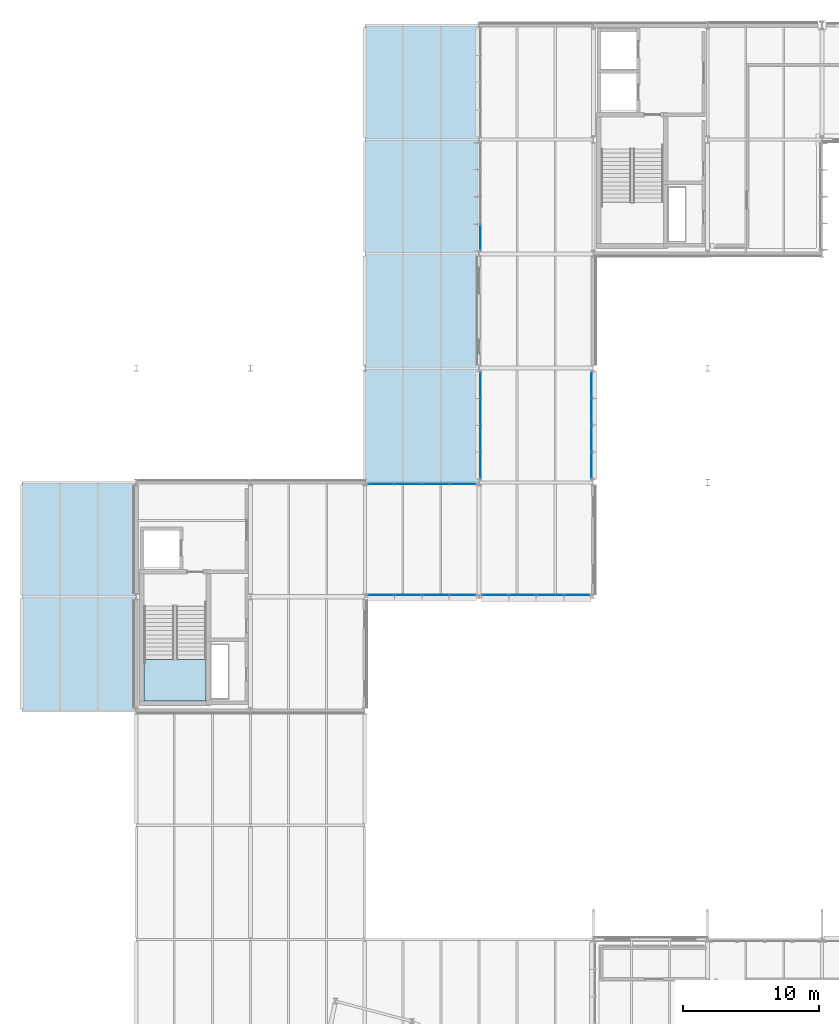
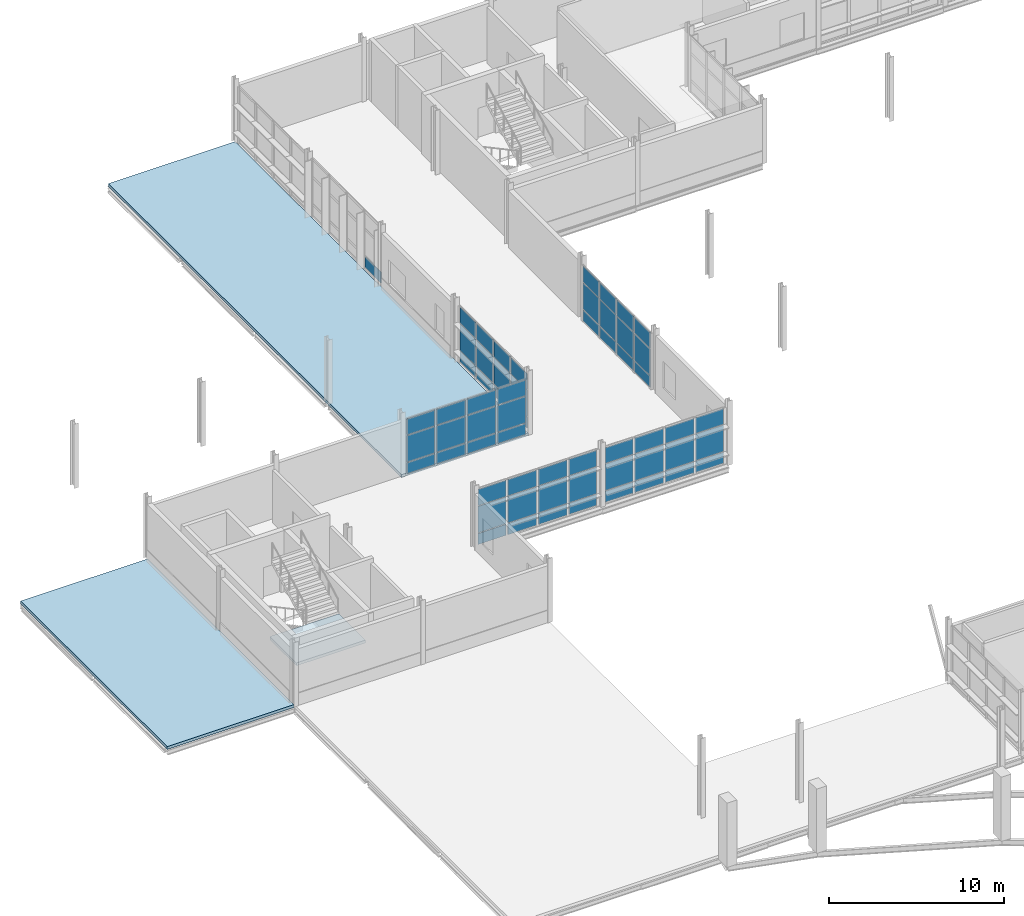
# One storey, part 84 of 129: 61 plates, 3 slabs, 7 elements without a shape of their own.
"""IFC4 building model written with IfcOpenShell, lengths in metres."""

from ifc_helpers import new_model, si_unit, direction, frame, origin, origin_2d, place, context, subcontext, project, spatial, polyline, rectangle, outline, extrude, material, layer, layer_set, type_object, element, aggregate, save


model = new_model("IFC4")

# Units and contexts
model_context = context("Model", 3, precision=1e-05, world=origin(), true_north=direction((0.0, 1.0)))
body_context = subcontext(model_context, "Body", "Model", "MODEL_VIEW")
ifc_project = project(units=[si_unit("LENGTHUNIT", "METRE"), si_unit("AREAUNIT", "SQUARE_METRE"), si_unit("VOLUMEUNIT", "CUBIC_METRE"), si_unit("PLANEANGLEUNIT", "RADIAN"), si_unit("MASSUNIT", "GRAM", prefix="KILO")], contexts=[model_context])

# Site, building, storey
site_placement = place(None, origin())
site = spatial("IfcSite", under=ifc_project, at=site_placement, CompositionType="ELEMENT")
building_placement = place(site_placement, origin())
building = spatial("IfcBuilding", under=site, at=building_placement, Name="Mersafa Astral City Hall", CompositionType="ELEMENT")
storey_placement = place(building_placement, frame((0.0, 0.0, 5.39990234375)))
storey = spatial("IfcBuildingStorey", under=building, at=storey_placement, Name="L01", CompositionType="ELEMENT", Elevation=5.39990234375)

# Curtain wall, plate
ifc_material_1 = material(Name="Anodised bronze aluminium framing", Category="aluminium")
curtain_wall_type_1 = type_object("IfcCurtainWallType", Name="ENV-CW-3", PredefinedType="USERDEFINED", material=ifc_material_1)
curtain_wall_1_placement = place(storey_placement, origin())
curtain_wall_1 = element("IfcCurtainWall", 1, at=curtain_wall_1_placement, inside=storey, type_object=curtain_wall_type_1, Name="L01 Unitised solar curtain wall 80", ObjectType="UNITISED CURTAIN WALL", PredefinedType="USERDEFINED")
ifc_material_2 = material(Name="Solar control low-e double glazing", Category="glass")
ifc_layer_1 = layer(ifc_material_2, 0.028076171875, Name="Solar control low-e double glazing")
ifc_layer_set_1 = layer_set([ifc_layer_1], Name="Solar control low-e double glazing — ENV-CW-PNL-GLZ-1")
plate_type_1 = type_object("IfcPlateType", Name="ENV-CW-PNL-GLZ-1", PredefinedType="CURTAIN_PANEL", material=ifc_layer_set_1)
plate_1_placement = place(storey_placement, frame((33.719970703125, 110.415283203125, 0.05810546875), z_axis=(0.0, 0.0, 1.0), x_axis=(0.0, -1.0, 0.0)))
plate_1 = element("IfcPlate", 2, at=plate_1_placement, type_object=plate_type_1, Name="CW-3 panel 4.1", PredefinedType="CURTAIN_PANEL", context=body_context, shape_type="SweptSolid", body=[
    extrude(rectangle(XDim=1.826416015625, YDim=0.028076171875, at=origin_2d()), origin(), (0.0, 0.0, 1.0), 0.761962890625),
])
aggregate(curtain_wall_1, [plate_1])

# Curtain wall, plates
curtain_wall_type_2 = type_object("IfcCurtainWallType", Name="ENV-CW-1", PredefinedType="USERDEFINED", material=ifc_material_1)
curtain_wall_2_placement = place(storey_placement, origin())
curtain_wall_2 = element("IfcCurtainWall", 3, at=curtain_wall_2_placement, inside=storey, type_object=curtain_wall_type_2, Name="L01 Unitised solar curtain wall 84", ObjectType="UNITISED CURTAIN WALL", PredefinedType="USERDEFINED")
plate_2_placement = place(storey_placement, frame((34.801513671875, 84.1201171875, 0.05810546875), z_axis=(0.0, 0.0, 1.0), x_axis=(1.0, 0.0, 0.0)))
plate_2 = element("IfcPlate", 4, at=plate_2_placement, type_object=plate_type_1, Name="CW-1 panel 1.1", PredefinedType="CURTAIN_PANEL", context=body_context, shape_type="SweptSolid", body=[
    extrude(rectangle(XDim=1.839111328125, YDim=0.028076171875, at=origin_2d()), origin(), (0.0, 0.0, 1.0), 0.761962890625),
])
plate_3_placement = place(storey_placement, frame((34.801513671875, 84.1201171875, 0.8798828125), z_axis=(0.0, 0.0, 1.0), x_axis=(1.0, 0.0, 0.0)))
plate_3 = element("IfcPlate", 5, at=plate_3_placement, type_object=plate_type_1, Name="CW-1 panel 1.2", PredefinedType="CURTAIN_PANEL", context=body_context, shape_type="SweptSolid", body=[
    extrude(rectangle(XDim=1.839111328125, YDim=0.028076171875, at=origin_2d()), origin(), (0.0, 0.0, 1.0), 1.840087890625),
])
plate_4_placement = place(storey_placement, frame((34.801513671875, 84.1201171875, 2.7802734375), z_axis=(0.0, 0.0, 1.0), x_axis=(1.0, 0.0, 0.0)))
plate_4 = element("IfcPlate", 6, at=plate_4_placement, type_object=plate_type_1, Name="CW-1 panel 1.3", PredefinedType="CURTAIN_PANEL", context=body_context, shape_type="SweptSolid", body=[
    extrude(rectangle(XDim=1.839111328125, YDim=0.028076171875, at=origin_2d()), origin(), (0.0, 0.0, 1.0), 1.096923828125),
])
plate_5_placement = place(storey_placement, frame((36.79052734375, 84.1201171875, 0.05810546875), z_axis=(0.0, 0.0, 1.0), x_axis=(1.0, 0.0, 0.0)))
plate_5 = element("IfcPlate", 7, at=plate_5_placement, type_object=plate_type_1, Name="CW-1 panel 2.1", PredefinedType="CURTAIN_PANEL", context=body_context, shape_type="SweptSolid", body=[
    extrude(rectangle(XDim=1.89892578125, YDim=0.028076171875, at=origin_2d()), origin(), (0.0, 0.0, 1.0), 0.761962890625),
])
plate_6_placement = place(storey_placement, frame((36.79052734375, 84.1201171875, 0.8798828125), z_axis=(0.0, 0.0, 1.0), x_axis=(1.0, 0.0, 0.0)))
plate_6 = element("IfcPlate", 8, at=plate_6_placement, type_object=plate_type_1, Name="CW-1 panel 2.2", PredefinedType="CURTAIN_PANEL", context=body_context, shape_type="SweptSolid", body=[
    extrude(rectangle(XDim=1.89892578125, YDim=0.028076171875, at=origin_2d()), origin(), (0.0, 0.0, 1.0), 1.840087890625),
])
plate_7_placement = place(storey_placement, frame((36.79052734375, 84.1201171875, 2.7802734375), z_axis=(0.0, 0.0, 1.0), x_axis=(1.0, 0.0, 0.0)))
plate_7 = element("IfcPlate", 9, at=plate_7_placement, type_object=plate_type_1, Name="CW-1 panel 2.3", PredefinedType="CURTAIN_PANEL", context=body_context, shape_type="SweptSolid", body=[
    extrude(rectangle(XDim=1.89892578125, YDim=0.028076171875, at=origin_2d()), origin(), (0.0, 0.0, 1.0), 1.096923828125),
])
plate_8_placement = place(storey_placement, frame((38.8095703125, 84.1201171875, 0.05810546875), z_axis=(0.0, 0.0, 1.0), x_axis=(1.0, 0.0, 0.0)))
plate_8 = element("IfcPlate", 10, at=plate_8_placement, type_object=plate_type_1, Name="CW-1 panel 3.1", PredefinedType="CURTAIN_PANEL", context=body_context, shape_type="SweptSolid", body=[
    extrude(rectangle(XDim=1.89892578125, YDim=0.028076171875, at=origin_2d()), origin(), (0.0, 0.0, 1.0), 0.761962890625),
])
plate_9_placement = place(storey_placement, frame((38.8095703125, 84.1201171875, 0.8798828125), z_axis=(0.0, 0.0, 1.0), x_axis=(1.0, 0.0, 0.0)))
plate_9 = element("IfcPlate", 11, at=plate_9_placement, type_object=plate_type_1, Name="CW-1 panel 3.2", PredefinedType="CURTAIN_PANEL", context=body_context, shape_type="SweptSolid", body=[
    extrude(rectangle(XDim=1.89892578125, YDim=0.028076171875, at=origin_2d()), origin(), (0.0, 0.0, 1.0), 1.840087890625),
])
plate_10_placement = place(storey_placement, frame((38.8095703125, 84.1201171875, 2.7802734375), z_axis=(0.0, 0.0, 1.0), x_axis=(1.0, 0.0, 0.0)))
plate_10 = element("IfcPlate", 12, at=plate_10_placement, type_object=plate_type_1, Name="CW-1 panel 3.3", PredefinedType="CURTAIN_PANEL", context=body_context, shape_type="SweptSolid", body=[
    extrude(rectangle(XDim=1.89892578125, YDim=0.028076171875, at=origin_2d()), origin(), (0.0, 0.0, 1.0), 1.096923828125),
])
plate_11_placement = place(storey_placement, frame((40.798583984375, 84.1201171875, 0.05810546875), z_axis=(0.0, 0.0, 1.0), x_axis=(1.0, 0.0, 0.0)))
plate_11 = element("IfcPlate", 13, at=plate_11_placement, type_object=plate_type_1, Name="CW-1 panel 4.1", PredefinedType="CURTAIN_PANEL", context=body_context, shape_type="SweptSolid", body=[
    extrude(rectangle(XDim=1.839111328125, YDim=0.028076171875, at=origin_2d()), origin(), (0.0, 0.0, 1.0), 0.761962890625),
])
plate_12_placement = place(storey_placement, frame((40.798583984375, 84.1201171875, 0.8798828125), z_axis=(0.0, 0.0, 1.0), x_axis=(1.0, 0.0, 0.0)))
plate_12 = element("IfcPlate", 14, at=plate_12_placement, type_object=plate_type_1, Name="CW-1 panel 4.2", PredefinedType="CURTAIN_PANEL", context=body_context, shape_type="SweptSolid", body=[
    extrude(rectangle(XDim=1.839111328125, YDim=0.028076171875, at=origin_2d()), origin(), (0.0, 0.0, 1.0), 1.840087890625),
])
plate_13_placement = place(storey_placement, frame((40.798583984375, 84.1201171875, 2.7802734375), z_axis=(0.0, 0.0, 1.0), x_axis=(1.0, 0.0, 0.0)))
plate_13 = element("IfcPlate", 15, at=plate_13_placement, type_object=plate_type_1, Name="CW-1 panel 4.3", PredefinedType="CURTAIN_PANEL", context=body_context, shape_type="SweptSolid", body=[
    extrude(rectangle(XDim=1.839111328125, YDim=0.028076171875, at=origin_2d()), origin(), (0.0, 0.0, 1.0), 1.096923828125),
])
aggregate(curtain_wall_2, [plate_2, plate_3, plate_4, plate_5, plate_6, plate_7, plate_8, plate_9, plate_10, plate_11, plate_12, plate_13])

curtain_wall_type_3 = type_object("IfcCurtainWallType", Name="ENV-CW-4", PredefinedType="USERDEFINED", material=ifc_material_1)
curtain_wall_3_placement = place(storey_placement, origin())
curtain_wall_3 = element("IfcCurtainWall", 16, at=curtain_wall_3_placement, inside=storey, type_object=curtain_wall_type_3, Name="L01 Unitised solar curtain wall 81", ObjectType="UNITISED CURTAIN WALL", PredefinedType="USERDEFINED")
ifc_layer_2 = layer(ifc_material_2, 0.031982421875, Name="Solar control low-e double glazing")
ifc_layer_set_2 = layer_set([ifc_layer_2], Name="Solar control low-e double glazing — ENV-CW-PNL-GLZ-2")
plate_type_2 = type_object("IfcPlateType", Name="ENV-CW-PNL-GLZ-2", PredefinedType="CURTAIN_PANEL", material=ifc_layer_set_2)
plate_14_placement = place(storey_placement, frame((33.719970703125, 99.542236328125, 0.05810546875), z_axis=(0.0, 0.0, 1.0), x_axis=(0.0, -1.0, 0.0)))
plate_14 = element("IfcPlate", 17, at=plate_14_placement, type_object=plate_type_2, Name="CW-4 panel 1.1", PredefinedType="CURTAIN_PANEL", context=body_context, shape_type="SweptSolid", body=[
    extrude(rectangle(XDim=1.801513671875, YDim=0.031982421875, at=origin_2d()), origin(), (0.0, 0.0, 1.0), 0.761962890625),
])
plate_15_placement = place(storey_placement, frame((33.719970703125, 99.542236328125, 0.8798828125), z_axis=(0.0, 0.0, 1.0), x_axis=(0.0, -1.0, 0.0)))
plate_15 = element("IfcPlate", 18, at=plate_15_placement, type_object=plate_type_2, Name="CW-4 panel 1.2", PredefinedType="CURTAIN_PANEL", context=body_context, shape_type="SweptSolid", body=[
    extrude(rectangle(XDim=1.801513671875, YDim=0.031982421875, at=origin_2d()), origin(), (0.0, 0.0, 1.0), 1.840087890625),
])
plate_16_placement = place(storey_placement, frame((33.719970703125, 99.542236328125, 2.780029296875), z_axis=(0.0, 0.0, 1.0), x_axis=(0.0, -1.0, 0.0)))
plate_16 = element("IfcPlate", 19, at=plate_16_placement, type_object=plate_type_2, Name="CW-4 panel 1.3", PredefinedType="CURTAIN_PANEL", context=body_context, shape_type="SweptSolid", body=[
    extrude(rectangle(XDim=1.801513671875, YDim=0.031982421875, at=origin_2d()), origin(), (0.0, 0.0, 1.0), 1.10693359375),
])
plate_17_placement = place(storey_placement, frame((33.719970703125, 97.5908203125, 0.05810546875), z_axis=(0.0, 0.0, 1.0), x_axis=(0.0, -1.0, 0.0)))
plate_17 = element("IfcPlate", 20, at=plate_17_placement, type_object=plate_type_2, Name="CW-4 panel 2.1", PredefinedType="CURTAIN_PANEL", context=body_context, shape_type="SweptSolid", body=[
    extrude(rectangle(XDim=1.861572265625, YDim=0.031982421875, at=origin_2d()), origin(), (0.0, 0.0, 1.0), 0.761962890625),
])
plate_18_placement = place(storey_placement, frame((33.719970703125, 97.5908203125, 0.8798828125), z_axis=(0.0, 0.0, 1.0), x_axis=(0.0, -1.0, 0.0)))
plate_18 = element("IfcPlate", 21, at=plate_18_placement, type_object=plate_type_2, Name="CW-4 panel 2.2", PredefinedType="CURTAIN_PANEL", context=body_context, shape_type="SweptSolid", body=[
    extrude(rectangle(XDim=1.861572265625, YDim=0.031982421875, at=origin_2d()), origin(), (0.0, 0.0, 1.0), 1.840087890625),
])
plate_19_placement = place(storey_placement, frame((33.719970703125, 97.5908203125, 2.780029296875), z_axis=(0.0, 0.0, 1.0), x_axis=(0.0, -1.0, 0.0)))
plate_19 = element("IfcPlate", 22, at=plate_19_placement, type_object=plate_type_2, Name="CW-4 panel 2.3", PredefinedType="CURTAIN_PANEL", context=body_context, shape_type="SweptSolid", body=[
    extrude(rectangle(XDim=1.861572265625, YDim=0.031982421875, at=origin_2d()), origin(), (0.0, 0.0, 1.0), 1.10693359375),
])
plate_20_placement = place(storey_placement, frame((33.719970703125, 95.609130859375, 0.05810546875), z_axis=(0.0, 0.0, 1.0), x_axis=(0.0, -1.0, 0.0)))
plate_20 = element("IfcPlate", 23, at=plate_20_placement, type_object=plate_type_2, Name="CW-4 panel 3.1", PredefinedType="CURTAIN_PANEL", context=body_context, shape_type="SweptSolid", body=[
    extrude(rectangle(XDim=1.861572265625, YDim=0.031982421875, at=origin_2d()), origin(), (0.0, 0.0, 1.0), 0.761962890625),
])
plate_21_placement = place(storey_placement, frame((33.719970703125, 95.609130859375, 0.8798828125), z_axis=(0.0, 0.0, 1.0), x_axis=(0.0, -1.0, 0.0)))
plate_21 = element("IfcPlate", 24, at=plate_21_placement, type_object=plate_type_2, Name="CW-4 panel 3.2", PredefinedType="CURTAIN_PANEL", context=body_context, shape_type="SweptSolid", body=[
    extrude(rectangle(XDim=1.861572265625, YDim=0.031982421875, at=origin_2d()), origin(), (0.0, 0.0, 1.0), 1.840087890625),
])
plate_22_placement = place(storey_placement, frame((33.719970703125, 95.609130859375, 2.780029296875), z_axis=(0.0, 0.0, 1.0), x_axis=(0.0, -1.0, 0.0)))
plate_22 = element("IfcPlate", 25, at=plate_22_placement, type_object=plate_type_2, Name="CW-4 panel 3.3", PredefinedType="CURTAIN_PANEL", context=body_context, shape_type="SweptSolid", body=[
    extrude(rectangle(XDim=1.861572265625, YDim=0.031982421875, at=origin_2d()), origin(), (0.0, 0.0, 1.0), 1.10693359375),
])
plate_23_placement = place(storey_placement, frame((33.719970703125, 93.65771484375, 0.05810546875), z_axis=(0.0, 0.0, 1.0), x_axis=(0.0, -1.0, 0.0)))
plate_23 = element("IfcPlate", 26, at=plate_23_placement, type_object=plate_type_2, Name="CW-4 panel 4.1", PredefinedType="CURTAIN_PANEL", context=body_context, shape_type="SweptSolid", body=[
    extrude(rectangle(XDim=1.801513671875, YDim=0.031982421875, at=origin_2d()), origin(), (0.0, 0.0, 1.0), 0.761962890625),
])
plate_24_placement = place(storey_placement, frame((33.719970703125, 93.65771484375, 0.8798828125), z_axis=(0.0, 0.0, 1.0), x_axis=(0.0, -1.0, 0.0)))
plate_24 = element("IfcPlate", 27, at=plate_24_placement, type_object=plate_type_2, Name="CW-4 panel 4.2", PredefinedType="CURTAIN_PANEL", context=body_context, shape_type="SweptSolid", body=[
    extrude(rectangle(XDim=1.801513671875, YDim=0.031982421875, at=origin_2d()), origin(), (0.0, 0.0, 1.0), 1.840087890625),
])
plate_25_placement = place(storey_placement, frame((33.719970703125, 93.65771484375, 2.780029296875), z_axis=(0.0, 0.0, 1.0), x_axis=(0.0, -1.0, 0.0)))
plate_25 = element("IfcPlate", 28, at=plate_25_placement, type_object=plate_type_2, Name="CW-4 panel 4.3", PredefinedType="CURTAIN_PANEL", context=body_context, shape_type="SweptSolid", body=[
    extrude(rectangle(XDim=1.801513671875, YDim=0.031982421875, at=origin_2d()), origin(), (0.0, 0.0, 1.0), 1.10693359375),
])
aggregate(curtain_wall_3, [plate_14, plate_15, plate_16, plate_17, plate_18, plate_19, plate_20, plate_21, plate_22, plate_23, plate_24, plate_25])

curtain_wall_type_4 = type_object("IfcCurtainWallType", Name="ENV-CW-2", PredefinedType="USERDEFINED", material=ifc_material_1)
curtain_wall_4_placement = place(storey_placement, origin())
curtain_wall_4 = element("IfcCurtainWall", 29, at=curtain_wall_4_placement, inside=storey, type_object=curtain_wall_type_4, Name="L01 Unitised solar curtain wall 85", ObjectType="UNITISED CURTAIN WALL", PredefinedType="USERDEFINED")
plate_26_placement = place(storey_placement, frame((41.8798828125, 93.65771484375, 0.05810546875), z_axis=(0.0, 0.0, 1.0), x_axis=(0.0, 1.0, 0.0)))
plate_26 = element("IfcPlate", 30, at=plate_26_placement, type_object=plate_type_2, Name="CW-2 panel 1.1", PredefinedType="CURTAIN_PANEL", context=body_context, shape_type="SweptSolid", body=[
    extrude(rectangle(XDim=1.801513671875, YDim=0.031982421875, at=origin_2d()), origin(), (0.0, 0.0, 1.0), 0.761962890625),
])
plate_27_placement = place(storey_placement, frame((41.8798828125, 93.65771484375, 0.8798828125), z_axis=(0.0, 0.0, 1.0), x_axis=(0.0, 1.0, 0.0)))
plate_27 = element("IfcPlate", 31, at=plate_27_placement, type_object=plate_type_2, Name="CW-2 panel 1.2", PredefinedType="CURTAIN_PANEL", context=body_context, shape_type="SweptSolid", body=[
    extrude(rectangle(XDim=1.801513671875, YDim=0.031982421875, at=origin_2d()), origin(), (0.0, 0.0, 1.0), 1.840087890625),
])
plate_28_placement = place(storey_placement, frame((41.8798828125, 93.65771484375, 2.7802734375), z_axis=(0.0, 0.0, 1.0), x_axis=(0.0, 1.0, 0.0)))
plate_28 = element("IfcPlate", 32, at=plate_28_placement, type_object=plate_type_2, Name="CW-2 panel 1.3", PredefinedType="CURTAIN_PANEL", context=body_context, shape_type="SweptSolid", body=[
    extrude(rectangle(XDim=1.801513671875, YDim=0.031982421875, at=origin_2d()), origin(), (0.0, 0.0, 1.0), 1.096923828125),
])
plate_29_placement = place(storey_placement, frame((41.8798828125, 95.609130859375, 0.05810546875), z_axis=(0.0, 0.0, 1.0), x_axis=(0.0, 1.0, 0.0)))
plate_29 = element("IfcPlate", 33, at=plate_29_placement, type_object=plate_type_2, Name="CW-2 panel 2.1", PredefinedType="CURTAIN_PANEL", context=body_context, shape_type="SweptSolid", body=[
    extrude(rectangle(XDim=1.861572265625, YDim=0.031982421875, at=origin_2d()), origin(), (0.0, 0.0, 1.0), 0.761962890625),
])
plate_30_placement = place(storey_placement, frame((41.8798828125, 95.609130859375, 0.8798828125), z_axis=(0.0, 0.0, 1.0), x_axis=(0.0, 1.0, 0.0)))
plate_30 = element("IfcPlate", 34, at=plate_30_placement, type_object=plate_type_2, Name="CW-2 panel 2.2", PredefinedType="CURTAIN_PANEL", context=body_context, shape_type="SweptSolid", body=[
    extrude(rectangle(XDim=1.861572265625, YDim=0.031982421875, at=origin_2d()), origin(), (0.0, 0.0, 1.0), 1.840087890625),
])
plate_31_placement = place(storey_placement, frame((41.8798828125, 95.609130859375, 2.7802734375), z_axis=(0.0, 0.0, 1.0), x_axis=(0.0, 1.0, 0.0)))
plate_31 = element("IfcPlate", 35, at=plate_31_placement, type_object=plate_type_2, Name="CW-2 panel 2.3", PredefinedType="CURTAIN_PANEL", context=body_context, shape_type="SweptSolid", body=[
    extrude(rectangle(XDim=1.861572265625, YDim=0.031982421875, at=origin_2d()), origin(), (0.0, 0.0, 1.0), 1.096923828125),
])
plate_32_placement = place(storey_placement, frame((41.8798828125, 97.5908203125, 0.05810546875), z_axis=(0.0, 0.0, 1.0), x_axis=(0.0, 1.0, 0.0)))
plate_32 = element("IfcPlate", 36, at=plate_32_placement, type_object=plate_type_2, Name="CW-2 panel 3.1", PredefinedType="CURTAIN_PANEL", context=body_context, shape_type="SweptSolid", body=[
    extrude(rectangle(XDim=1.861572265625, YDim=0.031982421875, at=origin_2d()), origin(), (0.0, 0.0, 1.0), 0.761962890625),
])
plate_33_placement = place(storey_placement, frame((41.8798828125, 97.5908203125, 0.8798828125), z_axis=(0.0, 0.0, 1.0), x_axis=(0.0, 1.0, 0.0)))
plate_33 = element("IfcPlate", 37, at=plate_33_placement, type_object=plate_type_2, Name="CW-2 panel 3.2", PredefinedType="CURTAIN_PANEL", context=body_context, shape_type="SweptSolid", body=[
    extrude(rectangle(XDim=1.861572265625, YDim=0.031982421875, at=origin_2d()), origin(), (0.0, 0.0, 1.0), 1.840087890625),
])
plate_34_placement = place(storey_placement, frame((41.8798828125, 97.5908203125, 2.7802734375), z_axis=(0.0, 0.0, 1.0), x_axis=(0.0, 1.0, 0.0)))
plate_34 = element("IfcPlate", 38, at=plate_34_placement, type_object=plate_type_2, Name="CW-2 panel 3.3", PredefinedType="CURTAIN_PANEL", context=body_context, shape_type="SweptSolid", body=[
    extrude(rectangle(XDim=1.861572265625, YDim=0.031982421875, at=origin_2d()), origin(), (0.0, 0.0, 1.0), 1.096923828125),
])
plate_35_placement = place(storey_placement, frame((41.8798828125, 99.542236328125, 0.05810546875), z_axis=(0.0, 0.0, 1.0), x_axis=(0.0, 1.0, 0.0)))
plate_35 = element("IfcPlate", 39, at=plate_35_placement, type_object=plate_type_2, Name="CW-2 panel 4.1", PredefinedType="CURTAIN_PANEL", context=body_context, shape_type="SweptSolid", body=[
    extrude(rectangle(XDim=1.801513671875, YDim=0.031982421875, at=origin_2d()), origin(), (0.0, 0.0, 1.0), 0.761962890625),
])
plate_36_placement = place(storey_placement, frame((41.8798828125, 99.542236328125, 0.8798828125), z_axis=(0.0, 0.0, 1.0), x_axis=(0.0, 1.0, 0.0)))
plate_36 = element("IfcPlate", 40, at=plate_36_placement, type_object=plate_type_2, Name="CW-2 panel 4.2", PredefinedType="CURTAIN_PANEL", context=body_context, shape_type="SweptSolid", body=[
    extrude(rectangle(XDim=1.801513671875, YDim=0.031982421875, at=origin_2d()), origin(), (0.0, 0.0, 1.0), 1.840087890625),
])
plate_37_placement = place(storey_placement, frame((41.8798828125, 99.542236328125, 2.7802734375), z_axis=(0.0, 0.0, 1.0), x_axis=(0.0, 1.0, 0.0)))
plate_37 = element("IfcPlate", 41, at=plate_37_placement, type_object=plate_type_2, Name="CW-2 panel 4.3", PredefinedType="CURTAIN_PANEL", context=body_context, shape_type="SweptSolid", body=[
    extrude(rectangle(XDim=1.801513671875, YDim=0.031982421875, at=origin_2d()), origin(), (0.0, 0.0, 1.0), 1.096923828125),
])
aggregate(curtain_wall_4, [plate_26, plate_27, plate_28, plate_29, plate_30, plate_31, plate_32, plate_33, plate_34, plate_35, plate_36, plate_37])

curtain_wall_type_5 = type_object("IfcCurtainWallType", Name="ENV-CW-5", PredefinedType="USERDEFINED", material=ifc_material_1)
curtain_wall_5_placement = place(storey_placement, origin())
curtain_wall_5 = element("IfcCurtainWall", 42, at=curtain_wall_5_placement, inside=storey, type_object=curtain_wall_type_5, Name="L01 Unitised solar curtain wall 82", ObjectType="UNITISED CURTAIN WALL", PredefinedType="USERDEFINED")
ifc_layer_3 = layer(ifc_material_2, 0.035888671875, Name="Solar control low-e double glazing")
ifc_layer_set_3 = layer_set([ifc_layer_3], Name="Solar control low-e double glazing — ENV-CW-PNL-GLZ-3")
plate_type_3 = type_object("IfcPlateType", Name="ENV-CW-PNL-GLZ-3", PredefinedType="CURTAIN_PANEL", material=ifc_layer_set_3)
plate_38_placement = place(storey_placement, frame((32.3984375, 92.280029296875, 0.05810546875), z_axis=(0.0, 0.0, 1.0), x_axis=(-1.0, 0.0, 0.0)))
plate_38 = element("IfcPlate", 43, at=plate_38_placement, type_object=plate_type_3, Name="CW-5 panel 1.1", PredefinedType="CURTAIN_PANEL", context=body_context, shape_type="SweptSolid", body=[
    extrude(rectangle(XDim=1.839111328125, YDim=0.035888671875, at=origin_2d()), origin(), (0.0, 0.0, 1.0), 0.761962890625),
])
plate_39_placement = place(storey_placement, frame((32.3984375, 92.280029296875, 0.8798828125), z_axis=(0.0, 0.0, 1.0), x_axis=(-1.0, 0.0, 0.0)))
plate_39 = element("IfcPlate", 44, at=plate_39_placement, type_object=plate_type_3, Name="CW-5 panel 1.2", PredefinedType="CURTAIN_PANEL", context=body_context, shape_type="SweptSolid", body=[
    extrude(rectangle(XDim=1.839111328125, YDim=0.035888671875, at=origin_2d()), origin(), (0.0, 0.0, 1.0), 1.840087890625),
])
plate_40_placement = place(storey_placement, frame((32.3984375, 92.280029296875, 2.7802734375), z_axis=(0.0, 0.0, 1.0), x_axis=(-1.0, 0.0, 0.0)))
plate_40 = element("IfcPlate", 45, at=plate_40_placement, type_object=plate_type_3, Name="CW-5 panel 1.3", PredefinedType="CURTAIN_PANEL", context=body_context, shape_type="SweptSolid", body=[
    extrude(rectangle(XDim=1.839111328125, YDim=0.035888671875, at=origin_2d()), origin(), (0.0, 0.0, 1.0), 1.096923828125),
])
plate_41_placement = place(storey_placement, frame((30.409423828125, 92.280029296875, 0.05810546875), z_axis=(0.0, 0.0, 1.0), x_axis=(-1.0, 0.0, 0.0)))
plate_41 = element("IfcPlate", 46, at=plate_41_placement, type_object=plate_type_3, Name="CW-5 panel 2.1", PredefinedType="CURTAIN_PANEL", context=body_context, shape_type="SweptSolid", body=[
    extrude(rectangle(XDim=1.89892578125, YDim=0.035888671875, at=origin_2d()), origin(), (0.0, 0.0, 1.0), 0.761962890625),
])
plate_42_placement = place(storey_placement, frame((30.409423828125, 92.280029296875, 0.8798828125), z_axis=(0.0, 0.0, 1.0), x_axis=(-1.0, 0.0, 0.0)))
plate_42 = element("IfcPlate", 47, at=plate_42_placement, type_object=plate_type_3, Name="CW-5 panel 2.2", PredefinedType="CURTAIN_PANEL", context=body_context, shape_type="SweptSolid", body=[
    extrude(rectangle(XDim=1.89892578125, YDim=0.035888671875, at=origin_2d()), origin(), (0.0, 0.0, 1.0), 1.840087890625),
])
plate_43_placement = place(storey_placement, frame((30.409423828125, 92.280029296875, 2.7802734375), z_axis=(0.0, 0.0, 1.0), x_axis=(-1.0, 0.0, 0.0)))
plate_43 = element("IfcPlate", 48, at=plate_43_placement, type_object=plate_type_3, Name="CW-5 panel 2.3", PredefinedType="CURTAIN_PANEL", context=body_context, shape_type="SweptSolid", body=[
    extrude(rectangle(XDim=1.89892578125, YDim=0.035888671875, at=origin_2d()), origin(), (0.0, 0.0, 1.0), 1.096923828125),
])
plate_44_placement = place(storey_placement, frame((28.390380859375, 92.280029296875, 0.05810546875), z_axis=(0.0, 0.0, 1.0), x_axis=(-1.0, 0.0, 0.0)))
plate_44 = element("IfcPlate", 49, at=plate_44_placement, type_object=plate_type_3, Name="CW-5 panel 3.1", PredefinedType="CURTAIN_PANEL", context=body_context, shape_type="SweptSolid", body=[
    extrude(rectangle(XDim=1.89892578125, YDim=0.035888671875, at=origin_2d()), origin(), (0.0, 0.0, 1.0), 0.761962890625),
])
plate_45_placement = place(storey_placement, frame((28.390380859375, 92.280029296875, 0.8798828125), z_axis=(0.0, 0.0, 1.0), x_axis=(-1.0, 0.0, 0.0)))
plate_45 = element("IfcPlate", 50, at=plate_45_placement, type_object=plate_type_3, Name="CW-5 panel 3.2", PredefinedType="CURTAIN_PANEL", context=body_context, shape_type="SweptSolid", body=[
    extrude(rectangle(XDim=1.89892578125, YDim=0.035888671875, at=origin_2d()), origin(), (0.0, 0.0, 1.0), 1.840087890625),
])
plate_46_placement = place(storey_placement, frame((28.390380859375, 92.280029296875, 2.7802734375), z_axis=(0.0, 0.0, 1.0), x_axis=(-1.0, 0.0, 0.0)))
plate_46 = element("IfcPlate", 51, at=plate_46_placement, type_object=plate_type_3, Name="CW-5 panel 3.3", PredefinedType="CURTAIN_PANEL", context=body_context, shape_type="SweptSolid", body=[
    extrude(rectangle(XDim=1.89892578125, YDim=0.035888671875, at=origin_2d()), origin(), (0.0, 0.0, 1.0), 1.096923828125),
])
plate_47_placement = place(storey_placement, frame((26.401611328125, 92.280029296875, 0.05810546875), z_axis=(0.0, 0.0, 1.0), x_axis=(-1.0, 0.0, 0.0)))
plate_47 = element("IfcPlate", 52, at=plate_47_placement, type_object=plate_type_3, Name="CW-5 panel 4.1", PredefinedType="CURTAIN_PANEL", context=body_context, shape_type="SweptSolid", body=[
    extrude(rectangle(XDim=1.839111328125, YDim=0.035888671875, at=origin_2d()), origin(), (0.0, 0.0, 1.0), 0.761962890625),
])
plate_48_placement = place(storey_placement, frame((26.401611328125, 92.280029296875, 0.8798828125), z_axis=(0.0, 0.0, 1.0), x_axis=(-1.0, 0.0, 0.0)))
plate_48 = element("IfcPlate", 53, at=plate_48_placement, type_object=plate_type_3, Name="CW-5 panel 4.2", PredefinedType="CURTAIN_PANEL", context=body_context, shape_type="SweptSolid", body=[
    extrude(rectangle(XDim=1.839111328125, YDim=0.035888671875, at=origin_2d()), origin(), (0.0, 0.0, 1.0), 1.840087890625),
])
plate_49_placement = place(storey_placement, frame((26.401611328125, 92.280029296875, 2.7802734375), z_axis=(0.0, 0.0, 1.0), x_axis=(-1.0, 0.0, 0.0)))
plate_49 = element("IfcPlate", 54, at=plate_49_placement, type_object=plate_type_3, Name="CW-5 panel 4.3", PredefinedType="CURTAIN_PANEL", context=body_context, shape_type="SweptSolid", body=[
    extrude(rectangle(XDim=1.839111328125, YDim=0.035888671875, at=origin_2d()), origin(), (0.0, 0.0, 1.0), 1.096923828125),
])
aggregate(curtain_wall_5, [plate_38, plate_39, plate_40, plate_41, plate_42, plate_43, plate_44, plate_45, plate_46, plate_47, plate_48, plate_49])

curtain_wall_type_6 = type_object("IfcCurtainWallType", Name="ENV-CW-6", PredefinedType="USERDEFINED", material=ifc_material_1)
curtain_wall_6_placement = place(storey_placement, origin())
curtain_wall_6 = element("IfcCurtainWall", 55, at=curtain_wall_6_placement, inside=storey, type_object=curtain_wall_type_6, Name="L01 Unitised solar curtain wall 83", ObjectType="UNITISED CURTAIN WALL", PredefinedType="USERDEFINED")
ifc_layer_4 = layer(ifc_material_2, 0.0400390625, Name="Solar control low-e double glazing")
ifc_layer_set_4 = layer_set([ifc_layer_4], Name="Solar control low-e double glazing — ENV-CW-PNL-GLZ-4")
plate_type_4 = type_object("IfcPlateType", Name="ENV-CW-PNL-GLZ-4", PredefinedType="CURTAIN_PANEL", material=ifc_layer_set_4)
plate_50_placement = place(storey_placement, frame((26.401611328125, 84.1201171875, 0.05810546875), z_axis=(0.0, 0.0, 1.0), x_axis=(1.0, 0.0, 0.0)))
plate_50 = element("IfcPlate", 56, at=plate_50_placement, type_object=plate_type_4, Name="CW-6 panel 1.1", PredefinedType="CURTAIN_PANEL", context=body_context, shape_type="SweptSolid", body=[
    extrude(rectangle(XDim=1.839111328125, YDim=0.0400390625, at=origin_2d()), origin(), (0.0, 0.0, 1.0), 0.761962890625),
])
plate_51_placement = place(storey_placement, frame((26.401611328125, 84.1201171875, 0.8798828125), z_axis=(0.0, 0.0, 1.0), x_axis=(1.0, 0.0, 0.0)))
plate_51 = element("IfcPlate", 57, at=plate_51_placement, type_object=plate_type_4, Name="CW-6 panel 1.2", PredefinedType="CURTAIN_PANEL", context=body_context, shape_type="SweptSolid", body=[
    extrude(rectangle(XDim=1.839111328125, YDim=0.0400390625, at=origin_2d()), origin(), (0.0, 0.0, 1.0), 1.840087890625),
])
plate_52_placement = place(storey_placement, frame((26.401611328125, 84.1201171875, 2.780029296875), z_axis=(0.0, 0.0, 1.0), x_axis=(1.0, 0.0, 0.0)))
plate_52 = element("IfcPlate", 58, at=plate_52_placement, type_object=plate_type_4, Name="CW-6 panel 1.3", PredefinedType="CURTAIN_PANEL", context=body_context, shape_type="SweptSolid", body=[
    extrude(rectangle(XDim=1.839111328125, YDim=0.0400390625, at=origin_2d()), origin(), (0.0, 0.0, 1.0), 1.126953125),
])
plate_53_placement = place(storey_placement, frame((28.390380859375, 84.1201171875, 0.05810546875), z_axis=(0.0, 0.0, 1.0), x_axis=(1.0, 0.0, 0.0)))
plate_53 = element("IfcPlate", 59, at=plate_53_placement, type_object=plate_type_4, Name="CW-6 panel 2.1", PredefinedType="CURTAIN_PANEL", context=body_context, shape_type="SweptSolid", body=[
    extrude(rectangle(XDim=1.89892578125, YDim=0.0400390625, at=origin_2d()), origin(), (0.0, 0.0, 1.0), 0.761962890625),
])
plate_54_placement = place(storey_placement, frame((28.390380859375, 84.1201171875, 0.8798828125), z_axis=(0.0, 0.0, 1.0), x_axis=(1.0, 0.0, 0.0)))
plate_54 = element("IfcPlate", 60, at=plate_54_placement, type_object=plate_type_4, Name="CW-6 panel 2.2", PredefinedType="CURTAIN_PANEL", context=body_context, shape_type="SweptSolid", body=[
    extrude(rectangle(XDim=1.89892578125, YDim=0.0400390625, at=origin_2d()), origin(), (0.0, 0.0, 1.0), 1.840087890625),
])
plate_55_placement = place(storey_placement, frame((28.390380859375, 84.1201171875, 2.780029296875), z_axis=(0.0, 0.0, 1.0), x_axis=(1.0, 0.0, 0.0)))
plate_55 = element("IfcPlate", 61, at=plate_55_placement, type_object=plate_type_4, Name="CW-6 panel 2.3", PredefinedType="CURTAIN_PANEL", context=body_context, shape_type="SweptSolid", body=[
    extrude(rectangle(XDim=1.89892578125, YDim=0.0400390625, at=origin_2d()), origin(), (0.0, 0.0, 1.0), 1.126953125),
])
plate_56_placement = place(storey_placement, frame((30.409423828125, 84.1201171875, 0.05810546875), z_axis=(0.0, 0.0, 1.0), x_axis=(1.0, 0.0, 0.0)))
plate_56 = element("IfcPlate", 62, at=plate_56_placement, type_object=plate_type_4, Name="CW-6 panel 3.1", PredefinedType="CURTAIN_PANEL", context=body_context, shape_type="SweptSolid", body=[
    extrude(rectangle(XDim=1.89892578125, YDim=0.0400390625, at=origin_2d()), origin(), (0.0, 0.0, 1.0), 0.761962890625),
])
plate_57_placement = place(storey_placement, frame((30.409423828125, 84.1201171875, 0.8798828125), z_axis=(0.0, 0.0, 1.0), x_axis=(1.0, 0.0, 0.0)))
plate_57 = element("IfcPlate", 63, at=plate_57_placement, type_object=plate_type_4, Name="CW-6 panel 3.2", PredefinedType="CURTAIN_PANEL", context=body_context, shape_type="SweptSolid", body=[
    extrude(rectangle(XDim=1.89892578125, YDim=0.0400390625, at=origin_2d()), origin(), (0.0, 0.0, 1.0), 1.840087890625),
])
plate_58_placement = place(storey_placement, frame((30.409423828125, 84.1201171875, 2.780029296875), z_axis=(0.0, 0.0, 1.0), x_axis=(1.0, 0.0, 0.0)))
plate_58 = element("IfcPlate", 64, at=plate_58_placement, type_object=plate_type_4, Name="CW-6 panel 3.3", PredefinedType="CURTAIN_PANEL", context=body_context, shape_type="SweptSolid", body=[
    extrude(rectangle(XDim=1.89892578125, YDim=0.0400390625, at=origin_2d()), origin(), (0.0, 0.0, 1.0), 1.126953125),
])
plate_59_placement = place(storey_placement, frame((32.3984375, 84.1201171875, 0.05810546875), z_axis=(0.0, 0.0, 1.0), x_axis=(1.0, 0.0, 0.0)))
plate_59 = element("IfcPlate", 65, at=plate_59_placement, type_object=plate_type_4, Name="CW-6 panel 4.1", PredefinedType="CURTAIN_PANEL", context=body_context, shape_type="SweptSolid", body=[
    extrude(rectangle(XDim=1.839111328125, YDim=0.0400390625, at=origin_2d()), origin(), (0.0, 0.0, 1.0), 0.761962890625),
])
plate_60_placement = place(storey_placement, frame((32.3984375, 84.1201171875, 0.8798828125), z_axis=(0.0, 0.0, 1.0), x_axis=(1.0, 0.0, 0.0)))
plate_60 = element("IfcPlate", 66, at=plate_60_placement, type_object=plate_type_4, Name="CW-6 panel 4.2", PredefinedType="CURTAIN_PANEL", context=body_context, shape_type="SweptSolid", body=[
    extrude(rectangle(XDim=1.839111328125, YDim=0.0400390625, at=origin_2d()), origin(), (0.0, 0.0, 1.0), 1.840087890625),
])
plate_61_placement = place(storey_placement, frame((32.3984375, 84.1201171875, 2.780029296875), z_axis=(0.0, 0.0, 1.0), x_axis=(1.0, 0.0, 0.0)))
plate_61 = element("IfcPlate", 67, at=plate_61_placement, type_object=plate_type_4, Name="CW-6 panel 4.3", PredefinedType="CURTAIN_PANEL", context=body_context, shape_type="SweptSolid", body=[
    extrude(rectangle(XDim=1.839111328125, YDim=0.0400390625, at=origin_2d()), origin(), (0.0, 0.0, 1.0), 1.126953125),
])
aggregate(curtain_wall_6, [plate_50, plate_51, plate_52, plate_53, plate_54, plate_55, plate_56, plate_57, plate_58, plate_59, plate_60, plate_61])

# Stair, slab
ifc_material_3 = material(Name="Concrete C40/50", Category="concrete")
stair_type = type_object("IfcStairType", Name="STAIR", PredefinedType="HALF_TURN_STAIR", material=ifc_material_3)
stair_placement = place(storey_placement, origin())
stair = element("IfcStair", 68, at=stair_placement, inside=storey, type_object=stair_type, Name="L01 Protected Exit Stair ST6", PredefinedType="HALF_TURN_STAIR")
ifc_layer_5 = layer(ifc_material_3, 0.199951171875, Name="Concrete C40/50")
ifc_layer_set_5 = layer_set([ifc_layer_5], Name="Concrete C40/50 — STAIR-LANDING")
slab_type_1 = type_object("IfcSlabType", Name="STAIR-LANDING", PredefinedType="LANDING", material=ifc_layer_set_5)
slab_1_placement = place(storey_placement, frame((0.0, 0.0, 2.050048828125)))
slab_1 = element("IfcSlab", 69, at=slab_1_placement, type_object=slab_type_1, Name="ST6 landing 1", PredefinedType="LANDING", context=body_context, shape_type="SweptSolid", body=[
    extrude(outline(polyline([(8.97998046875, 79.39990234375), (8.97998046875, 76.35009765625), (13.5400390625, 76.35009765625), (13.5400390625, 79.39990234375), (8.97998046875, 79.39990234375)])), origin(), (0.0, 0.0, 1.0), 0.199951171875),
])
aggregate(stair, [slab_1])

# Slabs
ifc_layer_6 = layer(ifc_material_3, 0.199951171875, Name="Concrete C40/50")
ifc_layer_set_6 = layer_set([ifc_layer_6], Name="Concrete C40/50 — STR-SLAB-ROOF-200")
slab_type_2 = type_object("IfcSlabType", Name="STR-SLAB-ROOF-200", PredefinedType="ROOF", material=ifc_layer_set_6)
slab_2_placement = place(storey_placement, frame((0.0, 0.0, -0.199951171875)))
element("IfcSlab", 70, at=slab_2_placement, inside=storey, type_object=slab_type_2, Name="L01 Flat structural wing roof slab 4", PredefinedType="ROOF", context=body_context, shape_type="SweptSolid", body=[
    extrude(outline(polyline([(25.199951171875, 100.800048828125), (25.199951171875, 109.199951171875), (25.199951171875, 117.60009765625), (25.199951171875, 126.0), (33.592041015625, 126.0), (33.592041015625, 92.407958984375), (25.199951171875, 92.407958984375), (25.199951171875, 100.800048828125)])), origin(), (0.0, 0.0, 1.0), 0.199951171875),
])
slab_3_placement = place(storey_placement, frame((0.0, 0.0, -0.199951171875)))
element("IfcSlab", 71, at=slab_3_placement, inside=storey, type_object=slab_type_2, Name="L01 Flat structural wing roof slab 5", PredefinedType="ROOF", context=body_context, shape_type="SweptSolid", body=[
    extrude(outline(polyline([(0.0, 75.60009765625), (0.0, 84.0), (0.0, 92.39990234375), (8.39208984375, 92.39990234375), (8.39208984375, 75.60009765625), (0.0, 75.60009765625)])), origin(), (0.0, 0.0, 1.0), 0.199951171875),
])

save(model, "model.ifc")
